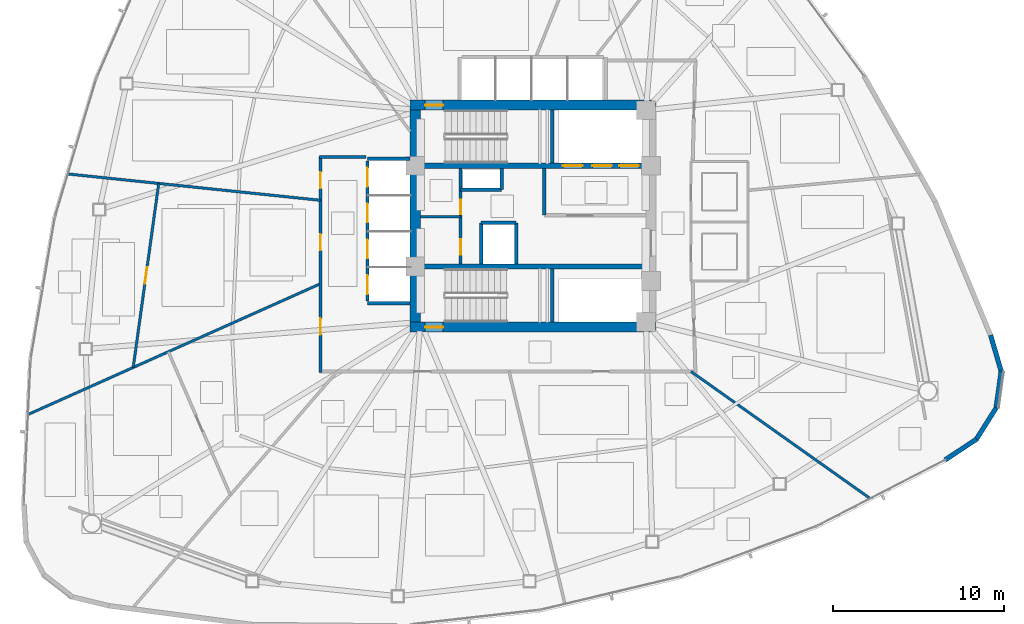
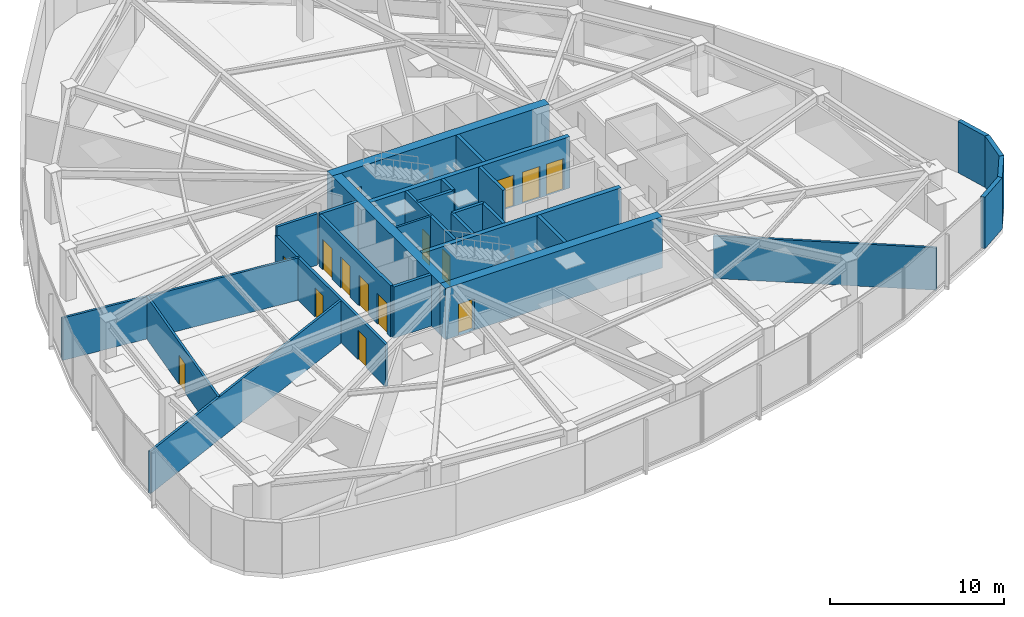
# One storey, part 11 of 17: 28 walls, 15 doors, 15 openings.
"""IFC4 building model written with IfcOpenShell, lengths in metres."""

import ifcopenshell
import ifcopenshell.guid

model = None  # the IFC model being written
_history = None  # IfcOwnerHistory: only IFC2X3 demands one
_inside = {}  # id of a spatial element -> (the spatial element, [elements in it])
_under = {}  # id of a project, library or spatial element -> (it, [spatial elements below it])
_declared = {}  # id of a project -> (the project, [libraries it declares])
_typed = {}  # id of a type object -> (the type object, [elements of that type])
_made_of = {}  # id of a material, layer set ... -> (it, [elements and type objects made of it])


def new_model(schema):
    """Start an empty IFC model of exactly this schema.

    Asked for "IFC4X3", IfcOpenShell would pick the latest addendum, in which some entities
    have other attributes; the version numbers below select the first issue.
    IFC2X3 requires an IfcOwnerHistory on every rooted entity: one is made here for all.
    """
    global model, _history
    if schema == "IFC4X3":
        model = ifcopenshell.file(schema_version=(4, 3, 0, 0))
    else:
        model = ifcopenshell.file(schema=schema)
    _inside.clear()
    _under.clear()
    _declared.clear()
    _typed.clear()
    _made_of.clear()
    _history = None
    if model.schema == "IFC2X3":
        org = make("IfcOrganization", Name="unknown")
        user = make(
            "IfcPersonAndOrganization",
            ThePerson=make("IfcPerson", FamilyName="unknown"),
            TheOrganization=org,
        )
        app = make(
            "IfcApplication",
            ApplicationDeveloper=org,
            Version="unknown",
            ApplicationFullName="unknown",
            ApplicationIdentifier="unknown",
        )
        _history = make(
            "IfcOwnerHistory",
            OwningUser=user,
            OwningApplication=app,
            ChangeAction="ADDED",
            CreationDate=0,
        )
    return model


def make(cls, **values):
    """One entity of the class cls with the attributes given. An attribute that is None is left unset."""
    return model.create_entity(
        cls, **{name: value for name, value in values.items() if value is not None}
    )


def rooted(cls, **values):
    """An entity with a GlobalId (a new one), such as an element, a storey or a relation."""
    return make(cls, GlobalId=ifcopenshell.guid.new(), OwnerHistory=_history, **values)


def si_unit(unit_type, name, prefix=None):
    """IfcSIUnit, for example si_unit("LENGTHUNIT", "METRE", prefix="MILLI")."""
    return make("IfcSIUnit", UnitType=unit_type, Prefix=prefix, Name=name)


def assignment(units):
    """IfcUnitAssignment: the units of a project."""
    return None if units is None else make("IfcUnitAssignment", Units=units)


def point(xyz):
    """IfcCartesianPoint."""
    return None if xyz is None else make("IfcCartesianPoint", Coordinates=xyz)


def direction(xyz):
    """IfcDirection."""
    return None if xyz is None else make("IfcDirection", DirectionRatios=xyz)


def frame(location, z_axis=None, x_axis=None):
    """IfcAxis2Placement3D, a coordinate frame: its origin and axes. An axis left out is left unset."""
    return make(
        "IfcAxis2Placement3D",
        Location=point(location),
        Axis=direction(z_axis),
        RefDirection=direction(x_axis),
    )


def frame_2d(location, x_axis=None):
    """IfcAxis2Placement2D, a coordinate frame in the plane: its origin and x axis."""
    return make(
        "IfcAxis2Placement2D", Location=point(location), RefDirection=direction(x_axis)
    )


def origin():
    """The frame at (0, 0, 0) with its axes left unset."""
    return frame((0.0, 0.0, 0.0))


def place(relative_to, where):
    """IfcLocalPlacement: puts the frame where relative to a parent placement (None: the world)."""
    return make(
        "IfcLocalPlacement", PlacementRelTo=relative_to, RelativePlacement=where
    )


def context(
    kind, dimensions, precision=None, world=None, true_north=None, identifier=None
):
    """IfcGeometricRepresentationContext, for example the 3D "Model" context."""
    return make(
        "IfcGeometricRepresentationContext",
        ContextIdentifier=identifier,
        ContextType=kind,
        CoordinateSpaceDimension=dimensions,
        Precision=precision,
        WorldCoordinateSystem=world,
        TrueNorth=true_north,
    )


def subcontext(parent, identifier, kind, view, scale=None):
    """IfcGeometricRepresentationSubContext, for example "Body" below "Model"."""
    return make(
        "IfcGeometricRepresentationSubContext",
        ContextIdentifier=identifier,
        ContextType=kind,
        ParentContext=parent,
        TargetScale=scale,
        TargetView=view,
    )


def project(units=None, contexts=None):
    """IfcProject with its units and contexts."""
    return rooted(
        "IfcProject",
        Name="project",
        RepresentationContexts=contexts,
        UnitsInContext=assignment(units),
    )


def spatial(cls, under=None, at=None, **own):
    """A site, building, storey or space (cls), placed at a placement, below another one or the project."""
    s = rooted(cls, ObjectPlacement=at, **own)
    if under is not None:
        _under.setdefault(under.id(), (under, []))[1].append(s)
    return s


def profile(cls, at=None, kind="AREA", **sizes):
    """A parametric profile (cls). Its sizes go by their IFC names, for example OverallWidth=200.0."""
    return make(cls, ProfileType=kind, Position=at, **sizes)


def rectangle(**sizes):
    """IfcRectangleProfileDef."""
    return profile("IfcRectangleProfileDef", **sizes)


def extrude(swept, where, along, depth):
    """IfcExtrudedAreaSolid: the profile swept, set in the frame where, extruded along a direction by depth."""
    return make(
        "IfcExtrudedAreaSolid",
        SweptArea=swept,
        Position=where,
        ExtrudedDirection=direction(along),
        Depth=depth,
    )


def shape(context_of_items, identifier, shape_type, items):
    """IfcShapeRepresentation: the items that make up one representation, for example the "Body"."""
    return make(
        "IfcShapeRepresentation",
        ContextOfItems=context_of_items,
        RepresentationIdentifier=identifier,
        RepresentationType=shape_type,
        Items=items,
    )


def material(Name=None, Category=None):
    """IfcMaterial."""
    return make("IfcMaterial", Name=Name, Category=Category)


def layer(
    of_material, thickness, ventilated=None, Name=None, Category=None, Priority=None
):
    """IfcMaterialLayer: one layer of a wall or slab, of a material (None: an air gap)."""
    return make(
        "IfcMaterialLayer",
        Material=of_material,
        LayerThickness=thickness,
        IsVentilated=ventilated,
        Name=Name,
        Category=Category,
        Priority=Priority,
    )


def layer_set(layers, Name=None):
    """IfcMaterialLayerSet."""
    return make("IfcMaterialLayerSet", MaterialLayers=layers, LayerSetName=Name)


def made_of(thing, what):
    """Note that an element or type object is made of a material, layer set ...; save() writes the relation."""
    if what is not None:
        _made_of.setdefault(what.id(), (what, []))[1].append(thing)
    return thing


def type_object(cls, material=None, **own):
    """A type object (cls), such as IfcWallType, which elements share."""
    return made_of(rooted(cls, **own), material)


def element(
    cls,
    number,
    at=None,
    inside=None,
    cuts=None,
    type_object=None,
    material=None,
    context=None,
    identifier="Body",
    shape_type=None,
    held_by="IfcProductDefinitionShape",
    body=None,
    shapes=None,
    **own,
):
    """One element of the class cls, such as IfcWall. Its Tag is "e" and its number.

    at: its placement. inside: the storey or other place that contains it. cuts: it is an
    opening in that element (IfcRelVoidsElement). A single representation is given by context,
    identifier, shape_type and body (its items); several are given by shapes. held_by: the class
    of the entity that holds the representations. save() writes the other relations.
    """
    e = rooted(cls, Tag="e%d" % number, ObjectPlacement=at, **own)
    if body is not None:
        shapes = [shape(context, identifier, shape_type, body)]
    if shapes is not None:
        e.Representation = make(held_by, Representations=shapes)
    if inside is not None:
        _inside.setdefault(inside.id(), (inside, []))[1].append(e)
    if cuts is not None:
        rooted(
            "IfcRelVoidsElement", RelatingBuildingElement=cuts, RelatedOpeningElement=e
        )
    if type_object is not None:
        _typed.setdefault(type_object.id(), (type_object, []))[1].append(e)
    return made_of(e, material)


def fill(opening, filler):
    """IfcRelFillsElement: the door or window that sits in an opening."""
    return rooted(
        "IfcRelFillsElement",
        RelatingOpeningElement=opening,
        RelatedBuildingElement=filler,
    )


def aggregate(whole, parts):
    """IfcRelAggregates: a whole, such as a stair, and the parts it consists of."""
    return rooted("IfcRelAggregates", RelatingObject=whole, RelatedObjects=parts)


def save(model, path):
    """Write the relations noted so far, then the file.

    IfcRelAggregates (storeys below a building ...), IfcRelContainedInSpatialStructure (elements
    in a storey), IfcRelDefinesByType, IfcRelAssociatesMaterial and IfcRelDeclares: one each for
    every whole, place, type object, material and project.
    """
    for whole, parts in _under.values():
        aggregate(whole, parts)
    for where, things in _inside.values():
        rooted(
            "IfcRelContainedInSpatialStructure",
            RelatedElements=things,
            RelatingStructure=where,
        )
    for kind, things in _typed.values():
        rooted("IfcRelDefinesByType", RelatedObjects=things, RelatingType=kind)
    for what, things in _made_of.values():
        rooted("IfcRelAssociatesMaterial", RelatedObjects=things, RelatingMaterial=what)
    for by, libraries in _declared.values():
        rooted("IfcRelDeclares", RelatingContext=by, RelatedDefinitions=libraries)
    model.write(path)


model = new_model("IFC4")

# Units and contexts
model_context = context("Model", 3, precision=1e-05, world=origin(), true_north=direction((0.0, 1.0)))
body_context = subcontext(model_context, "Body", "Model", "MODEL_VIEW")
ifc_project = project(units=[si_unit("LENGTHUNIT", "METRE"), si_unit("AREAUNIT", "SQUARE_METRE"), si_unit("VOLUMEUNIT", "CUBIC_METRE"), si_unit("PLANEANGLEUNIT", "RADIAN"), si_unit("MASSUNIT", "GRAM", prefix="KILO")], contexts=[model_context])

# Site, building, storey
site_placement = place(None, origin())
site = spatial("IfcSite", under=ifc_project, at=site_placement, CompositionType="ELEMENT")
building_placement = place(site_placement, origin())
building = spatial("IfcBuilding", under=site, at=building_placement, Name="Tavelor Broadcast Tower", CompositionType="ELEMENT")
storey_placement = place(building_placement, frame((0.0, 0.0, 66.60009765625)))
storey = spatial("IfcBuildingStorey", under=building, at=storey_placement, Name="L15", CompositionType="ELEMENT", Elevation=66.60009765625)

# Wall, opening, door
ifc_material_1 = material(Name="Concrete C60/75", Category="concrete")
ifc_layer_1 = layer(ifc_material_1, 0.60009765625)
ifc_layer_set_1 = layer_set([ifc_layer_1], Name="Concrete C60/75")
wall_type_1 = type_object("IfcWallType", Name="Core Shear Wall 600 mm", PredefinedType="SHEAR", material=ifc_layer_set_1)
wall_1_placement = place(storey_placement, frame((42.800048828125, 51.5, 0.0), z_axis=(0.0, 0.0, 1.0), x_axis=(1.0, 0.0, 0.0)))
wall_1 = element("IfcWall", 1, at=wall_1_placement, inside=storey, type_object=wall_type_1, Name="L15 Central Core Shear Wall N", PredefinedType="SHEAR", context=body_context, shape_type="SweptSolid", body=[
    extrude(rectangle(XDim=14.39990234375, YDim=0.60009765625, at=frame_2d((7.199951171875, 0.0))), origin(), (0.0, 0.0, 1.0), 3.599853515625),
])
opening_1_placement = place(wall_1_placement, frame((0.8798828125, 0.0, 0.0)))
opening_1 = element("IfcOpeningElement", 2, at=opening_1_placement, cuts=wall_1, Name="Opening DR11", PredefinedType="OPENING", context=body_context, shape_type="SweptSolid", body=[
    extrude(rectangle(XDim=1.050048828125, YDim=2.199951171875, at=frame_2d((0.52490234375, 1.10009765625))), frame((0.0, 0.31005859375, 0.0), z_axis=(0.0, -1.0, 0.0), x_axis=(1.0, 0.0, 0.0)), (0.0, 0.0, 1.0), 0.6201171875),
])
ifc_material_2 = material(Name="Steel S355", Category="steel")
door_type_1 = type_object("IfcDoorType", Name="Stair Core Fire Escape Door 1050x2200", OperationType="NOTDEFINED", PredefinedType="DOOR", material=ifc_material_2)
door_1_placement = place(opening_1_placement, origin())
door_1 = element("IfcDoor", 3, at=door_1_placement, inside=storey, type_object=door_type_1, Name="L15 Stair ST1 Protected Exit Door", OperationType="SINGLE_SWING_LEFT", OverallHeight=2.199951171875, OverallWidth=1.050048828125, PredefinedType="DOOR", context=body_context, shape_type="SweptSolid", body=[
    extrude(rectangle(XDim=1.050048828125, YDim=2.199951171875, at=frame_2d((0.52490234375, 1.10009765625))), frame((0.0, 0.02490234375, 0.0), z_axis=(0.0, -1.0, 0.0), x_axis=(1.0, 0.0, 0.0)), (0.0, 0.0, 1.0), 0.050048828125),
])
fill(opening_1, door_1)

wall_2_placement = place(storey_placement, frame((42.800048828125, 38.5, 0.0), z_axis=(0.0, 0.0, 1.0), x_axis=(1.0, 0.0, 0.0)))
wall_2 = element("IfcWall", 4, at=wall_2_placement, inside=storey, type_object=wall_type_1, Name="L15 Central Core Shear Wall S", PredefinedType="SHEAR", context=body_context, shape_type="SweptSolid", body=[
    extrude(rectangle(XDim=14.39990234375, YDim=0.60009765625, at=frame_2d((7.199951171875, 0.0))), origin(), (0.0, 0.0, 1.0), 3.599853515625),
])
opening_2_placement = place(wall_2_placement, frame((0.8798828125, 0.0, 0.0)))
opening_2 = element("IfcOpeningElement", 5, at=opening_2_placement, cuts=wall_2, Name="Opening DR11", PredefinedType="OPENING", context=body_context, shape_type="SweptSolid", body=[
    extrude(rectangle(XDim=1.050048828125, YDim=2.199951171875, at=frame_2d((0.52490234375, 1.10009765625))), frame((0.0, 0.31005859375, 0.0), z_axis=(0.0, -1.0, 0.0), x_axis=(1.0, 0.0, 0.0)), (0.0, 0.0, 1.0), 0.6201171875),
])
door_2_placement = place(opening_2_placement, origin())
door_2 = element("IfcDoor", 6, at=door_2_placement, inside=storey, type_object=door_type_1, Name="L15 Stair ST2 Protected Exit Door", OperationType="SINGLE_SWING_RIGHT", OverallHeight=2.199951171875, OverallWidth=1.050048828125, PredefinedType="DOOR", context=body_context, shape_type="SweptSolid", body=[
    extrude(rectangle(XDim=1.050048828125, YDim=2.199951171875, at=frame_2d((0.52490234375, 1.10009765625))), frame((0.0, 0.02490234375, 0.0), z_axis=(0.0, -1.0, 0.0), x_axis=(1.0, 0.0, 0.0)), (0.0, 0.0, 1.0), 0.050048828125),
])
fill(opening_2, door_2)

# Wall
wall_3_placement = place(storey_placement, frame((43.10009765625, 38.800048828125, 0.0), z_axis=(0.0, 0.0, 1.0), x_axis=(0.0, 1.0, 0.0)))
element("IfcWall", 7, at=wall_3_placement, inside=storey, type_object=wall_type_1, Name="L15 Central Core Shear Wall W", PredefinedType="SHEAR", context=body_context, shape_type="SweptSolid", body=[
    extrude(rectangle(XDim=12.39990234375, YDim=0.60009765625, at=frame_2d((6.199951171875, 0.0))), origin(), (0.0, 0.0, 1.0), 3.599853515625),
])

# Wall, openings, doors
ifc_layer_2 = layer(ifc_material_1, 0.300048828125)
ifc_layer_set_2 = layer_set([ifc_layer_2], Name="Concrete C60/75")
wall_type_2 = type_object("IfcWallType", Name="Core Spine Shear Wall 300 mm C60", PredefinedType="SHEAR", material=ifc_layer_set_2)
wall_4_placement = place(storey_placement, frame((43.39990234375, 47.949951171875, 0.0), z_axis=(0.0, 0.0, 1.0), x_axis=(1.0, 0.0, 0.0)))
wall_4 = element("IfcWall", 8, at=wall_4_placement, inside=storey, type_object=wall_type_2, Name="L15 Central Core Shear Wall SP1", PredefinedType="SHEAR", context=body_context, shape_type="SweptSolid", body=[
    extrude(rectangle(XDim=13.2001953125, YDim=0.300048828125, at=frame_2d((6.60009765625, 0.0))), origin(), (0.0, 0.0, 1.0), 3.599853515625),
])
opening_3_placement = place(wall_4_placement, frame((8.344970703125, 0.0, 0.0)))
opening_3 = element("IfcOpeningElement", 9, at=opening_3_placement, cuts=wall_4, Name="Opening LD02", PredefinedType="OPENING", context=body_context, shape_type="SweptSolid", body=[
    extrude(rectangle(XDim=1.14990234375, YDim=2.199951171875, at=frame_2d((0.574951171875, 1.10009765625))), frame((0.0, 0.16015625, 0.0), z_axis=(0.0, -1.0, 0.0), x_axis=(1.0, 0.0, 0.0)), (0.0, 0.0, 1.0), 0.320068359375),
])
opening_4_placement = place(wall_4_placement, frame((10.06494140625, 0.0, 0.0)))
opening_4 = element("IfcOpeningElement", 10, at=opening_4_placement, cuts=wall_4, Name="Opening LD02", PredefinedType="OPENING", context=body_context, shape_type="SweptSolid", body=[
    extrude(rectangle(XDim=1.14990234375, YDim=2.199951171875, at=frame_2d((0.574951171875, 1.10009765625))), frame((0.0, 0.16015625, 0.0), z_axis=(0.0, -1.0, 0.0), x_axis=(1.0, 0.0, 0.0)), (0.0, 0.0, 1.0), 0.320068359375),
])
opening_5_placement = place(wall_4_placement, frame((11.64501953125, 0.0, 0.0)))
opening_5 = element("IfcOpeningElement", 11, at=opening_5_placement, cuts=wall_4, Name="Opening LD03", PredefinedType="OPENING", context=body_context, shape_type="SweptSolid", body=[
    extrude(rectangle(XDim=1.14990234375, YDim=2.199951171875, at=frame_2d((0.574951171875, 1.10009765625))), frame((0.0, 0.16015625, 0.0), z_axis=(0.0, -1.0, 0.0), x_axis=(1.0, 0.0, 0.0)), (0.0, 0.0, 1.0), 0.320068359375),
])
ifc_material_3 = material(Name="Reinforced Brushed Stainless Steel", Category="concrete")
door_type_2 = type_object("IfcDoorType", Name="Broadcast Goods Lift Sliding Landing Door 1250x2200", OperationType="NOTDEFINED", PredefinedType="DOOR", material=ifc_material_3)
door_3_placement = place(opening_5_placement, origin())
door_3 = element("IfcDoor", 12, at=door_3_placement, inside=storey, type_object=door_type_2, Name="L15 Lift SVL1 Sliding Landing Door", OperationType="SLIDING_TO_LEFT", OverallHeight=2.199951171875, OverallWidth=1.14990234375, PredefinedType="DOOR", context=body_context, shape_type="SweptSolid", body=[
    extrude(rectangle(XDim=1.14990234375, YDim=2.199951171875, at=frame_2d((0.574951171875, 1.10009765625))), frame((0.0, 0.02490234375, 0.0), z_axis=(0.0, -1.0, 0.0), x_axis=(1.0, 0.0, 0.0)), (0.0, 0.0, 1.0), 0.050048828125),
])
fill(opening_5, door_3)
ifc_material_4 = material(Name="Fire-Rated Stainless Steel", Category="steel")
door_type_3 = type_object("IfcDoorType", Name="Firefighting Lift Sliding Landing Door 1200x2200", OperationType="NOTDEFINED", PredefinedType="DOOR", material=ifc_material_4)
door_4_placement = place(opening_3_placement, origin())
door_4 = element("IfcDoor", 13, at=door_4_placement, inside=storey, type_object=door_type_3, Name="L15 Lift FFL1 Sliding Landing Door", OperationType="SLIDING_TO_LEFT", OverallHeight=2.199951171875, OverallWidth=1.14990234375, PredefinedType="DOOR", context=body_context, shape_type="SweptSolid", body=[
    extrude(rectangle(XDim=1.14990234375, YDim=2.199951171875, at=frame_2d((0.574951171875, 1.10009765625))), frame((0.0, 0.02490234375, 0.0), z_axis=(0.0, -1.0, 0.0), x_axis=(1.0, 0.0, 0.0)), (0.0, 0.0, 1.0), 0.050048828125),
])
fill(opening_3, door_4)
door_5_placement = place(opening_4_placement, origin())
door_5 = element("IfcDoor", 14, at=door_5_placement, inside=storey, type_object=door_type_3, Name="L15 Lift FFL2 Sliding Landing Door", OperationType="SLIDING_TO_LEFT", OverallHeight=2.199951171875, OverallWidth=1.14990234375, PredefinedType="DOOR", context=body_context, shape_type="SweptSolid", body=[
    extrude(rectangle(XDim=1.14990234375, YDim=2.199951171875, at=frame_2d((0.574951171875, 1.10009765625))), frame((0.0, 0.02490234375, 0.0), z_axis=(0.0, -1.0, 0.0), x_axis=(1.0, 0.0, 0.0)), (0.0, 0.0, 1.0), 0.050048828125),
])
fill(opening_4, door_5)

# Wall
wall_5_placement = place(storey_placement, frame((43.39990234375, 42.050048828125, 0.0), z_axis=(0.0, 0.0, 1.0), x_axis=(1.0, 0.0, 0.0)))
element("IfcWall", 15, at=wall_5_placement, inside=storey, type_object=wall_type_2, Name="L15 Central Core Shear Wall SP2", PredefinedType="SHEAR", context=body_context, shape_type="SweptSolid", body=[
    extrude(rectangle(XDim=13.2001953125, YDim=0.300048828125, at=frame_2d((6.60009765625, 0.0))), origin(), (0.0, 0.0, 1.0), 3.599853515625),
])

# Wall, openings, doors
ifc_material_5 = material(Name="Calcium Silicate Fire Board 180 mm", Category="gypsum")
ifc_layer_3 = layer(ifc_material_5, 0.179931640625)
ifc_layer_set_3 = layer_set([ifc_layer_3], Name="Calcium Silicate Fire Board 180 mm")
wall_type_3 = type_object("IfcWallType", Name="Fire-Rated Corridor Partition Wall 180 mm", PredefinedType="PARTITIONING", material=ifc_layer_set_3)
wall_6_placement = place(storey_placement, frame((45.75, 42.199951171875, 0.0), z_axis=(0.0, 0.0, 1.0), x_axis=(0.0, 1.0, 0.0)))
wall_6 = element("IfcWall", 16, at=wall_6_placement, inside=storey, type_object=wall_type_3, Name="L15 Core West Service East Wall", PredefinedType="PARTITIONING", context=body_context, shape_type="SweptSolid", body=[
    extrude(rectangle(XDim=5.60009765625, YDim=0.179931640625, at=frame_2d((2.800048828125, 0.0))), origin(), (0.0, 0.0, 1.0), 3.599853515625),
])
opening_6_placement = place(wall_6_placement, frame((0.550048828125, 0.0, 0.0)))
opening_6 = element("IfcOpeningElement", 17, at=opening_6_placement, cuts=wall_6, Name="Opening DR32", PredefinedType="OPENING", context=body_context, shape_type="SweptSolid", body=[
    extrude(rectangle(XDim=0.89990234375, YDim=2.050048828125, at=frame_2d((0.449951171875, 1.02490234375))), frame((0.0, 0.10009765625, 0.0), z_axis=(0.0, -1.0, 0.0), x_axis=(1.0, 0.0, 0.0)), (0.0, 0.0, 1.0), 0.199951171875),
])
opening_7_placement = place(wall_6_placement, frame((2.89990234375, 0.0, 0.0)))
opening_7 = element("IfcOpeningElement", 18, at=opening_7_placement, cuts=wall_6, Name="Opening DR36", PredefinedType="OPENING", context=body_context, shape_type="SweptSolid", body=[
    extrude(rectangle(XDim=0.85009765625, YDim=2.050048828125, at=frame_2d((0.425048828125, 1.02490234375))), frame((0.0, 0.10009765625, 0.0), z_axis=(0.0, -1.0, 0.0), x_axis=(1.0, 0.0, 0.0)), (0.0, 0.0, 1.0), 0.199951171875),
])
ifc_material_6 = material(Name="Timber Solid Core Hardwood", Category="wood")
door_type_4 = type_object("IfcDoorType", Name="Accessible Washroom Door 900x2050", OperationType="NOTDEFINED", PredefinedType="DOOR", material=ifc_material_6)
door_6_placement = place(opening_6_placement, origin())
door_6 = element("IfcDoor", 19, at=door_6_placement, inside=storey, type_object=door_type_4, Name="L15 Core Accessible WC Door", OperationType="SINGLE_SWING_LEFT", OverallHeight=2.050048828125, OverallWidth=0.89990234375, PredefinedType="DOOR", context=body_context, shape_type="SweptSolid", body=[
    extrude(rectangle(XDim=0.89990234375, YDim=2.050048828125, at=frame_2d((0.449951171875, 1.02490234375))), frame((0.0, 0.02490234375, 0.0), z_axis=(0.0, -1.0, 0.0), x_axis=(1.0, 0.0, 0.0)), (0.0, 0.0, 1.0), 0.050048828125),
])
fill(opening_6, door_6)
door_type_5 = type_object("IfcDoorType", Name="Service Room Fire Door 850x2050", OperationType="NOTDEFINED", PredefinedType="DOOR", material=ifc_material_2)
door_7_placement = place(opening_7_placement, origin())
door_7 = element("IfcDoor", 20, at=door_7_placement, inside=storey, type_object=door_type_5, Name="L15 Core Cleaner Store Door", OperationType="SINGLE_SWING_RIGHT", OverallHeight=2.050048828125, OverallWidth=0.85009765625, PredefinedType="DOOR", context=body_context, shape_type="SweptSolid", body=[
    extrude(rectangle(XDim=0.85009765625, YDim=2.050048828125, at=frame_2d((0.425048828125, 1.02490234375))), frame((0.0, 0.02490234375, 0.0), z_axis=(0.0, -1.0, 0.0), x_axis=(1.0, 0.0, 0.0)), (0.0, 0.0, 1.0), 0.050048828125),
])
fill(opening_7, door_7)

wall_7_placement = place(storey_placement, frame((37.550048828125, 35.85009765625, 0.0), z_axis=(0.0, 0.0, 1.0), x_axis=(0.0, 1.0, 0.0)))
wall_7 = element("IfcWall", 21, at=wall_7_placement, inside=storey, type_object=wall_type_3, Name="L15 Corridor Compartment Wall 05", PredefinedType="PARTITIONING", context=body_context, shape_type="SweptSolid", body=[
    extrude(rectangle(XDim=12.64990234375, YDim=0.179931640625, at=frame_2d((6.324951171875, 0.0))), origin(), (0.0, 0.0, 1.0), 2.974853515625),
])
opening_8_placement = place(wall_7_placement, frame((2.210693359375, 0.0, 0.0)))
opening_8 = element("IfcOpeningElement", 22, at=opening_8_placement, cuts=wall_7, Name="Opening DR18", PredefinedType="OPENING", context=body_context, shape_type="SweptSolid", body=[
    extrude(rectangle(XDim=0.949951171875, YDim=2.050048828125, at=frame_2d((0.47509765625, 1.02490234375))), frame((0.0, 0.10009765625, 0.0), z_axis=(0.0, -1.0, 0.0), x_axis=(1.0, 0.0, 0.0)), (0.0, 0.0, 1.0), 0.199951171875),
])
opening_9_placement = place(wall_7_placement, frame((7.143310546875, 0.0, 0.0)))
opening_9 = element("IfcOpeningElement", 23, at=opening_9_placement, cuts=wall_7, Name="Opening DR18", PredefinedType="OPENING", context=body_context, shape_type="SweptSolid", body=[
    extrude(rectangle(XDim=0.949951171875, YDim=2.050048828125, at=frame_2d((0.47509765625, 1.02490234375))), frame((0.0, 0.10009765625, 0.0), z_axis=(0.0, -1.0, 0.0), x_axis=(1.0, 0.0, 0.0)), (0.0, 0.0, 1.0), 0.199951171875),
])
opening_10_placement = place(wall_7_placement, frame((10.7744140625, 0.0, 0.0)))
opening_10 = element("IfcOpeningElement", 24, at=opening_10_placement, cuts=wall_7, Name="Opening DR18", PredefinedType="OPENING", context=body_context, shape_type="SweptSolid", body=[
    extrude(rectangle(XDim=0.949951171875, YDim=2.050048828125, at=frame_2d((0.47509765625, 1.02490234375))), frame((0.0, 0.10009765625, 0.0), z_axis=(0.0, -1.0, 0.0), x_axis=(1.0, 0.0, 0.0)), (0.0, 0.0, 1.0), 0.199951171875),
])
door_type_6 = type_object("IfcDoorType", Name="Corridor Rated Compartment Door 950x2050", OperationType="NOTDEFINED", PredefinedType="DOOR", material=ifc_material_6)
door_8_placement = place(opening_8_placement, origin())
door_8 = element("IfcDoor", 25, at=door_8_placement, inside=storey, type_object=door_type_6, Name="L15 Press Concierge Desk Door R10", OperationType="SINGLE_SWING_LEFT", OverallHeight=2.050048828125, OverallWidth=0.949951171875, PredefinedType="DOOR", context=body_context, shape_type="SweptSolid", body=[
    extrude(rectangle(XDim=0.949951171875, YDim=2.050048828125, at=frame_2d((0.47509765625, 1.02490234375))), frame((0.0, 0.02490234375, 0.0), z_axis=(0.0, -1.0, 0.0), x_axis=(1.0, 0.0, 0.0)), (0.0, 0.0, 1.0), 0.050048828125),
])
fill(opening_8, door_8)
door_9_placement = place(opening_9_placement, origin())
door_9 = element("IfcDoor", 26, at=door_9_placement, inside=storey, type_object=door_type_6, Name="L15 Executive Reading Study Door R11", OperationType="SINGLE_SWING_RIGHT", OverallHeight=2.050048828125, OverallWidth=0.949951171875, PredefinedType="DOOR", context=body_context, shape_type="SweptSolid", body=[
    extrude(rectangle(XDim=0.949951171875, YDim=2.050048828125, at=frame_2d((0.47509765625, 1.02490234375))), frame((0.0, 0.02490234375, 0.0), z_axis=(0.0, -1.0, 0.0), x_axis=(1.0, 0.0, 0.0)), (0.0, 0.0, 1.0), 0.050048828125),
])
fill(opening_9, door_9)
door_10_placement = place(opening_10_placement, origin())
door_10 = element("IfcDoor", 27, at=door_10_placement, inside=storey, type_object=door_type_6, Name="L15 Music Mixing Workshop Door R3", OperationType="SINGLE_SWING_LEFT", OverallHeight=2.050048828125, OverallWidth=0.949951171875, PredefinedType="DOOR", context=body_context, shape_type="SweptSolid", body=[
    extrude(rectangle(XDim=0.949951171875, YDim=2.050048828125, at=frame_2d((0.47509765625, 1.02490234375))), frame((0.0, 0.02490234375, 0.0), z_axis=(0.0, -1.0, 0.0), x_axis=(1.0, 0.0, 0.0)), (0.0, 0.0, 1.0), 0.050048828125),
])
fill(opening_10, door_10)

# Walls
wall_8_placement = place(storey_placement, frame((37.5, 48.449951171875, 0.0), z_axis=(0.0, 0.0, 1.0), x_axis=(1.0, 0.0, 0.0)))
element("IfcWall", 28, at=wall_8_placement, inside=storey, type_object=wall_type_3, Name="L15 Corridor Compartment Wall 06", PredefinedType="PARTITIONING", context=body_context, shape_type="SweptSolid", body=[
    extrude(rectangle(XDim=2.699951171875, YDim=0.179931640625, at=frame_2d((1.35009765625, 0.0))), origin(), (0.0, 0.0, 1.0), 3.599853515625),
])
ifc_material_7 = material(Name="Precast Concrete C40/50", Category="concrete")
ifc_layer_4 = layer(ifc_material_7, 0.280029296875)
ifc_layer_set_4 = layer_set([ifc_layer_4], Name="Precast Concrete C40/50")
wall_type_4 = type_object("IfcWallType", Name="Insulated Precast Terracotta Facade Wall 280 mm", PredefinedType="STANDARD", material=ifc_layer_set_4)
wall_9_placement = place(storey_placement, frame((74.12060546875, 30.718505859375, 0.0), z_axis=(0.0, 0.0, 1.0), x_axis=(0.834320802666, 0.55127923799, 0.0)))
element("IfcWall", 29, at=wall_9_placement, inside=storey, type_object=wall_type_4, Name="L15 Rounded Corner Structural Cladding Pier 21", PredefinedType="STANDARD", context=body_context, shape_type="SweptSolid", body=[
    extrude(rectangle(XDim=2.2099609375, YDim=0.280029296875, at=frame_2d((1.10498046875, 0.0))), origin(), (0.0, 0.0, 1.0), 3.599853515625),
])
wall_10_placement = place(storey_placement, frame((75.94384765625, 31.915771484375, 0.0), z_axis=(0.0, 0.0, 1.0), x_axis=(0.533637775871, 0.845713145318, 0.0)))
element("IfcWall", 30, at=wall_10_placement, inside=storey, type_object=wall_type_4, Name="L15 Rounded Corner Structural Cladding Pier 22", PredefinedType="STANDARD", context=body_context, shape_type="SweptSolid", body=[
    extrude(rectangle(XDim=2.1982421875, YDim=0.280029296875, at=frame_2d((1.09912109375, 0.0))), origin(), (0.0, 0.0, 1.0), 3.599853515625),
])
wall_11_placement = place(storey_placement, frame((77.106689453125, 33.747314453125, 0.0), z_axis=(0.0, 0.0, 1.0), x_axis=(0.13837336271, 0.990380135348, 0.0)))
element("IfcWall", 31, at=wall_11_placement, inside=storey, type_object=wall_type_4, Name="L15 Rounded Corner Structural Cladding Pier 23", PredefinedType="STANDARD", context=body_context, shape_type="SweptSolid", body=[
    extrude(rectangle(XDim=2.198486328125, YDim=0.280029296875, at=frame_2d((1.09912109375, 0.0))), origin(), (0.0, 0.0, 1.0), 3.599853515625),
])
wall_12_placement = place(storey_placement, frame((77.4130859375, 35.895263671875, 0.0), z_axis=(0.0, 0.0, 1.0), x_axis=(-0.281553200158, 0.959545619281, 0.0)))
element("IfcWall", 32, at=wall_12_placement, inside=storey, type_object=wall_type_4, Name="L15 Rounded Corner Structural Cladding Pier 24", PredefinedType="STANDARD", context=body_context, shape_type="SweptSolid", body=[
    extrude(rectangle(XDim=2.220703125, YDim=0.280029296875, at=frame_2d((1.1103515625, 0.0))), origin(), (0.0, 0.0, 1.0), 3.599853515625),
])
ifc_material_8 = material(Name="Gypsum Acoustic Plasterboard 150 mm", Category="gypsum")
ifc_layer_5 = layer(ifc_material_8, 0.14990234375)
ifc_layer_set_5 = layer_set([ifc_layer_5], Name="Gypsum Acoustic Plasterboard 150 mm")
wall_type_5 = type_object("IfcWallType", Name="Interior Acoustic Partition Wall 150 mm", PredefinedType="PARTITIONING", material=ifc_layer_set_5)
wall_13_placement = place(storey_placement, frame((43.39990234375, 44.949951171875, 0.0), z_axis=(0.0, 0.0, 1.0), x_axis=(1.0, 0.0, 0.0)))
element("IfcWall", 33, at=wall_13_placement, inside=storey, type_object=wall_type_5, Name="L15 Core Split Wall A", PredefinedType="PARTITIONING", context=body_context, shape_type="SweptSolid", body=[
    extrude(rectangle(XDim=2.35009765625, YDim=0.14990234375, at=frame_2d((1.175048828125, 0.0))), origin(), (0.0, 0.0, 1.0), 3.599853515625),
])
wall_14_placement = place(storey_placement, frame((37.550048828125, 45.923095703125, 0.0), z_axis=(0.0, 0.0, 1.0), x_axis=(-0.994605726754, 0.103727760548, 0.0)))
element("IfcWall", 34, at=wall_14_placement, inside=storey, type_object=wall_type_5, Name="L15 Radial Compartment Wall 02", PredefinedType="PARTITIONING", context=body_context, shape_type="SweptSolid", body=[
    extrude(rectangle(XDim=14.886962890625, YDim=0.14990234375, at=frame_2d((7.443359375, 0.0))), origin(), (0.0, 0.0, 1.0), 2.974853515625),
])
wall_15_placement = place(storey_placement, frame((37.550048828125, 41.0419921875, 0.0), z_axis=(0.0, 0.0, 1.0), x_axis=(-0.912858301538, -0.408276525547, 0.0)))
element("IfcWall", 35, at=wall_15_placement, inside=storey, type_object=wall_type_5, Name="L15 Radial Compartment Wall 03", PredefinedType="PARTITIONING", context=body_context, shape_type="SweptSolid", body=[
    extrude(rectangle(XDim=18.774658203125, YDim=0.14990234375, at=frame_2d((9.38720703125, 0.0))), origin(), (0.0, 0.0, 1.0), 2.974853515625),
])
wall_16_placement = place(storey_placement, frame((59.240234375, 35.89990234375, 0.0), z_axis=(0.0, 0.0, 1.0), x_axis=(0.815881019965, -0.578219820883, 0.0)))
element("IfcWall", 36, at=wall_16_placement, inside=storey, type_object=wall_type_5, Name="L15 Radial Compartment Wall 06", PredefinedType="PARTITIONING", context=body_context, shape_type="SweptSolid", body=[
    extrude(rectangle(XDim=12.87890625, YDim=0.14990234375, at=frame_2d((6.439453125, 0.0))), origin(), (0.0, 0.0, 1.0), 2.974853515625),
])

# Wall, opening, door
wall_17_placement = place(storey_placement, frame((28.07373046875, 46.911376953125, 0.0), z_axis=(0.0, 0.0, 1.0), x_axis=(-0.137197100967, -0.990543767577, 0.0)))
wall_17 = element("IfcWall", 37, at=wall_17_placement, inside=storey, type_object=wall_type_5, Name="L15 Suite Chord Partition Wall 02", PredefinedType="PARTITIONING", context=body_context, shape_type="SweptSolid", body=[
    extrude(rectangle(XDim=10.8779296875, YDim=0.14990234375, at=frame_2d((5.43896484375, 0.0))), origin(), (0.0, 0.0, 1.0), 2.974853515625),
])
opening_11_placement = place(wall_17_placement, frame((4.964111328125, 0.0, 0.0)))
opening_11 = element("IfcOpeningElement", 38, at=opening_11_placement, cuts=wall_17, Name="Opening DR23", PredefinedType="OPENING", context=body_context, shape_type="SweptSolid", body=[
    extrude(rectangle(XDim=0.949951171875, YDim=2.050048828125, at=frame_2d((0.47509765625, 1.02490234375))), frame((0.0, 0.0849609375, 0.0), z_axis=(0.0, -1.0, 0.0), x_axis=(1.0, 0.0, 0.0)), (0.0, 0.0, 1.0), 0.169921875),
])
door_type_7 = type_object("IfcDoorType", Name="Editorial Room Acoustic Door 950x2050", OperationType="NOTDEFINED", PredefinedType="DOOR", material=ifc_material_6)
door_11_placement = place(opening_11_placement, origin())
door_11 = element("IfcDoor", 39, at=door_11_placement, inside=storey, type_object=door_type_7, Name="L15 Outer Suite Partition Door 2", OperationType="SINGLE_SWING_LEFT", OverallHeight=2.050048828125, OverallWidth=0.949951171875, PredefinedType="DOOR", context=body_context, shape_type="SweptSolid", body=[
    extrude(rectangle(XDim=0.949951171875, YDim=2.050048828125, at=frame_2d((0.47509765625, 1.02490234375))), frame((0.0, 0.02490234375, 0.0), z_axis=(0.0, -1.0, 0.0), x_axis=(1.0, 0.0, 0.0)), (0.0, 0.0, 1.0), 0.050048828125),
])
fill(opening_11, door_11)

# Wall, openings, doors
ifc_material_9 = material(Name="Concrete Blockwork 200 mm", Category="masonry")
ifc_layer_6 = layer(ifc_material_9, 0.199951171875)
ifc_layer_set_6 = layer_set([ifc_layer_6], Name="Concrete Blockwork 200 mm")
wall_type_6 = type_object("IfcWallType", Name="Lift Hoistway Rated Front Wall 200 mm", PredefinedType="PARTITIONING", material=ifc_layer_set_6)
wall_18_placement = place(storey_placement, frame((40.300048828125, 40.02001953125, 0.0), z_axis=(0.0, 0.0, 1.0), x_axis=(0.0, 1.0, 0.0)))
wall_18 = element("IfcWall", 40, at=wall_18_placement, inside=storey, type_object=wall_type_6, Name="L15 Low-Rise Lift Hoistway Front Wall", PredefinedType="PARTITIONING", context=body_context, shape_type="SweptSolid", body=[
    extrude(rectangle(XDim=8.2099609375, YDim=0.199951171875, at=frame_2d((4.10498046875, 0.0))), origin(), (0.0, 0.0, 1.0), 3.599853515625),
])
opening_12_placement = place(wall_18_placement, frame((0.405029296875, 0.0, 0.0)))
opening_12 = element("IfcOpeningElement", 41, at=opening_12_placement, cuts=wall_18, Name="Opening LD01", PredefinedType="OPENING", context=body_context, shape_type="SweptSolid", body=[
    extrude(rectangle(XDim=1.10009765625, YDim=2.14990234375, at=frame_2d((0.550048828125, 1.074951171875))), frame((0.0, 0.10986328125, 0.0), z_axis=(0.0, -1.0, 0.0), x_axis=(1.0, 0.0, 0.0)), (0.0, 0.0, 1.0), 0.219970703125),
])
opening_13_placement = place(wall_18_placement, frame((2.5048828125, 0.0, 0.0)))
opening_13 = element("IfcOpeningElement", 42, at=opening_13_placement, cuts=wall_18, Name="Opening LD01", PredefinedType="OPENING", context=body_context, shape_type="SweptSolid", body=[
    extrude(rectangle(XDim=1.10009765625, YDim=2.14990234375, at=frame_2d((0.550048828125, 1.074951171875))), frame((0.0, 0.10986328125, 0.0), z_axis=(0.0, -1.0, 0.0), x_axis=(1.0, 0.0, 0.0)), (0.0, 0.0, 1.0), 0.219970703125),
])
opening_14_placement = place(wall_18_placement, frame((4.60498046875, 0.0, 0.0)))
opening_14 = element("IfcOpeningElement", 43, at=opening_14_placement, cuts=wall_18, Name="Opening LD01", PredefinedType="OPENING", context=body_context, shape_type="SweptSolid", body=[
    extrude(rectangle(XDim=1.10009765625, YDim=2.14990234375, at=frame_2d((0.550048828125, 1.074951171875))), frame((0.0, 0.10986328125, 0.0), z_axis=(0.0, -1.0, 0.0), x_axis=(1.0, 0.0, 0.0)), (0.0, 0.0, 1.0), 0.219970703125),
])
opening_15_placement = place(wall_18_placement, frame((6.705078125, 0.0, 0.0)))
opening_15 = element("IfcOpeningElement", 44, at=opening_15_placement, cuts=wall_18, Name="Opening LD01", PredefinedType="OPENING", context=body_context, shape_type="SweptSolid", body=[
    extrude(rectangle(XDim=1.10009765625, YDim=2.14990234375, at=frame_2d((0.550048828125, 1.074951171875))), frame((0.0, 0.10986328125, 0.0), z_axis=(0.0, -1.0, 0.0), x_axis=(1.0, 0.0, 0.0)), (0.0, 0.0, 1.0), 0.219970703125),
])
ifc_material_10 = material(Name="Brushed Stainless Steel", Category="steel")
door_type_8 = type_object("IfcDoorType", Name="Passenger Lift Sliding Landing Door 1100x2150", OperationType="NOTDEFINED", PredefinedType="DOOR", material=ifc_material_10)
door_12_placement = place(opening_12_placement, origin())
door_12 = element("IfcDoor", 45, at=door_12_placement, inside=storey, type_object=door_type_8, Name="L15 Lift PLL1 Sliding Landing Door", OperationType="SLIDING_TO_LEFT", OverallHeight=2.14990234375, OverallWidth=1.10009765625, PredefinedType="DOOR", context=body_context, shape_type="SweptSolid", body=[
    extrude(rectangle(XDim=1.10009765625, YDim=2.14990234375, at=frame_2d((0.550048828125, 1.074951171875))), frame((0.0, 0.02490234375, 0.0), z_axis=(0.0, -1.0, 0.0), x_axis=(1.0, 0.0, 0.0)), (0.0, 0.0, 1.0), 0.050048828125),
])
fill(opening_12, door_12)
door_13_placement = place(opening_13_placement, origin())
door_13 = element("IfcDoor", 46, at=door_13_placement, inside=storey, type_object=door_type_8, Name="L15 Lift PLL2 Sliding Landing Door", OperationType="SLIDING_TO_RIGHT", OverallHeight=2.14990234375, OverallWidth=1.10009765625, PredefinedType="DOOR", context=body_context, shape_type="SweptSolid", body=[
    extrude(rectangle(XDim=1.10009765625, YDim=2.14990234375, at=frame_2d((0.550048828125, 1.074951171875))), frame((0.0, 0.02490234375, 0.0), z_axis=(0.0, -1.0, 0.0), x_axis=(1.0, 0.0, 0.0)), (0.0, 0.0, 1.0), 0.050048828125),
])
fill(opening_13, door_13)
door_14_placement = place(opening_14_placement, origin())
door_14 = element("IfcDoor", 47, at=door_14_placement, inside=storey, type_object=door_type_8, Name="L15 Lift PLL3 Sliding Landing Door", OperationType="SLIDING_TO_LEFT", OverallHeight=2.14990234375, OverallWidth=1.10009765625, PredefinedType="DOOR", context=body_context, shape_type="SweptSolid", body=[
    extrude(rectangle(XDim=1.10009765625, YDim=2.14990234375, at=frame_2d((0.550048828125, 1.074951171875))), frame((0.0, 0.02490234375, 0.0), z_axis=(0.0, -1.0, 0.0), x_axis=(1.0, 0.0, 0.0)), (0.0, 0.0, 1.0), 0.050048828125),
])
fill(opening_14, door_14)
door_15_placement = place(opening_15_placement, origin())
door_15 = element("IfcDoor", 48, at=door_15_placement, inside=storey, type_object=door_type_8, Name="L15 Lift PLL4 Sliding Landing Door", OperationType="SLIDING_TO_RIGHT", OverallHeight=2.14990234375, OverallWidth=1.10009765625, PredefinedType="DOOR", context=body_context, shape_type="SweptSolid", body=[
    extrude(rectangle(XDim=1.10009765625, YDim=2.14990234375, at=frame_2d((0.550048828125, 1.074951171875))), frame((0.0, 0.02490234375, 0.0), z_axis=(0.0, -1.0, 0.0), x_axis=(1.0, 0.0, 0.0)), (0.0, 0.0, 1.0), 0.050048828125),
])
fill(opening_15, door_15)

# Walls
wall_19_placement = place(storey_placement, frame((49.0, 42.199951171875, 0.0), z_axis=(0.0, 0.0, 1.0), x_axis=(0.0, 1.0, 0.0)))
element("IfcWall", 49, at=wall_19_placement, inside=storey, type_object=wall_type_6, Name="L15 Mid-Rise Lift PLM4 Hoistway Front Wall", PredefinedType="PARTITIONING", context=body_context, shape_type="SweptSolid", body=[
    extrude(rectangle(XDim=2.400146484375, YDim=0.199951171875, at=frame_2d((1.2001953125, 0.0))), origin(), (0.0, 0.0, 1.0), 3.599853515625),
])
ifc_layer_7 = layer(ifc_material_9, 0.199951171875)
ifc_layer_set_7 = layer_set([ifc_layer_7], Name="Concrete Blockwork 200 mm")
wall_type_7 = type_object("IfcWallType", Name="Lift and Riser Shaft Enclosure Wall 200 mm", PredefinedType="PARTITIONING", material=ifc_layer_set_7)
for number, where, z_axis, x_axis, name in (
    (50, (40.300048828125, 39.89990234375, 0.0), (0.0, 0.0, 1.0), (1.0, 0.0, 0.0), "L15 Low-Rise Lift Shaft South Wall"),
    (51, (40.300048828125, 48.35009765625, 0.0), (0.0, 0.0, 1.0), (1.0, 0.0, 0.0), "L15 Low-Rise Lift Shaft North Wall"),
):
    element("IfcWall", number, at=place(storey_placement, frame(where, z_axis=z_axis, x_axis=x_axis)), inside=storey, type_object=wall_type_7, Name=name, PredefinedType="PARTITIONING", context=body_context, shape_type="SweptSolid", body=[
        extrude(rectangle(XDim=2.5, YDim=0.199951171875, at=frame_2d((1.25, 0.0))), origin(), (0.0, 0.0, 1.0), 3.599853515625),
    ])
wall_20_placement = place(storey_placement, frame((45.75, 46.550048828125, 0.0), z_axis=(0.0, 0.0, 1.0), x_axis=(1.0, 0.0, 0.0)))
element("IfcWall", 52, at=wall_20_placement, inside=storey, type_object=wall_type_7, Name="L15 Riser Shaft South Wall", PredefinedType="PARTITIONING", context=body_context, shape_type="SweptSolid", body=[
    extrude(rectangle(XDim=2.39990234375, YDim=0.199951171875, at=frame_2d((1.199951171875, 0.0))), origin(), (0.0, 0.0, 1.0), 3.599853515625),
])
wall_21_placement = place(storey_placement, frame((48.14990234375, 46.550048828125, 0.0), z_axis=(0.0, 0.0, 1.0), x_axis=(0.0, 1.0, 0.0)))
element("IfcWall", 53, at=wall_21_placement, inside=storey, type_object=wall_type_7, Name="L15 Riser Shaft East Wall", PredefinedType="PARTITIONING", context=body_context, shape_type="SweptSolid", body=[
    extrude(rectangle(XDim=1.25, YDim=0.199951171875, at=frame_2d((0.625, 0.0))), origin(), (0.0, 0.0, 1.0), 3.599853515625),
])
wall_22_placement = place(storey_placement, frame((46.949951171875, 42.199951171875, 0.0), z_axis=(0.0, 0.0, 1.0), x_axis=(0.0, 1.0, 0.0)))
element("IfcWall", 54, at=wall_22_placement, inside=storey, type_object=wall_type_7, Name="L15 Mid-Rise Lift PLM4 West Wall", PredefinedType="PARTITIONING", context=body_context, shape_type="SweptSolid", body=[
    extrude(rectangle(XDim=2.400146484375, YDim=0.199951171875, at=frame_2d((1.2001953125, 0.0))), origin(), (0.0, 0.0, 1.0), 3.599853515625),
])
wall_23_placement = place(storey_placement, frame((46.949951171875, 44.60009765625, 0.0), z_axis=(0.0, 0.0, 1.0), x_axis=(1.0, 0.0, 0.0)))
element("IfcWall", 55, at=wall_23_placement, inside=storey, type_object=wall_type_7, Name="L15 Mid-Rise Lift PLM4 North Wall", PredefinedType="PARTITIONING", context=body_context, shape_type="SweptSolid", body=[
    extrude(rectangle(XDim=2.050048828125, YDim=0.199951171875, at=frame_2d((1.02490234375, 0.0))), origin(), (0.0, 0.0, 1.0), 3.599853515625),
])
wall_24_placement = place(storey_placement, frame((50.64990234375, 45.050048828125, 0.0), z_axis=(0.0, 0.0, 1.0), x_axis=(0.0, 1.0, 0.0)))
element("IfcWall", 56, at=wall_24_placement, inside=storey, type_object=wall_type_7, Name="L15 Firefighting Lobby West Wall", PredefinedType="PARTITIONING", context=body_context, shape_type="SweptSolid", body=[
    extrude(rectangle(XDim=2.75, YDim=0.199951171875, at=frame_2d((1.375, 0.0))), origin(), (0.0, 0.0, 1.0), 3.599853515625),
])
ifc_material_11 = material(Name="Concrete C40/50", Category="concrete")
ifc_layer_8 = layer(ifc_material_11, 0.219970703125)
ifc_layer_set_8 = layer_set([ifc_layer_8], Name="Concrete C40/50")
wall_type_8 = type_object("IfcWallType", Name="Structural Stairwell Shear Wall 220 mm", PredefinedType="SHEAR", material=ifc_layer_set_8)
for number, where, z_axis, x_axis, name in (
    (57, (51.110107421875, 48.10009765625, 0.0), (0.0, 0.0, 1.0), (0.0, 1.0, 0.0), "L15 Stair ST1 Structural Shaft Wall"),
    (58, (51.110107421875, 38.800048828125, 0.0), (0.0, 0.0, 1.0), (0.0, 1.0, 0.0), "L15 Stair ST2 Structural Shaft Wall"),
):
    element("IfcWall", number, at=place(storey_placement, frame(where, z_axis=z_axis, x_axis=x_axis)), inside=storey, type_object=wall_type_8, Name=name, PredefinedType="SHEAR", context=body_context, shape_type="SweptSolid", body=[
        extrude(rectangle(XDim=3.099853515625, YDim=0.219970703125, at=frame_2d((1.5498046875, 0.0))), origin(), (0.0, 0.0, 1.0), 3.599853515625),
    ])

save(model, "model.ifc")
